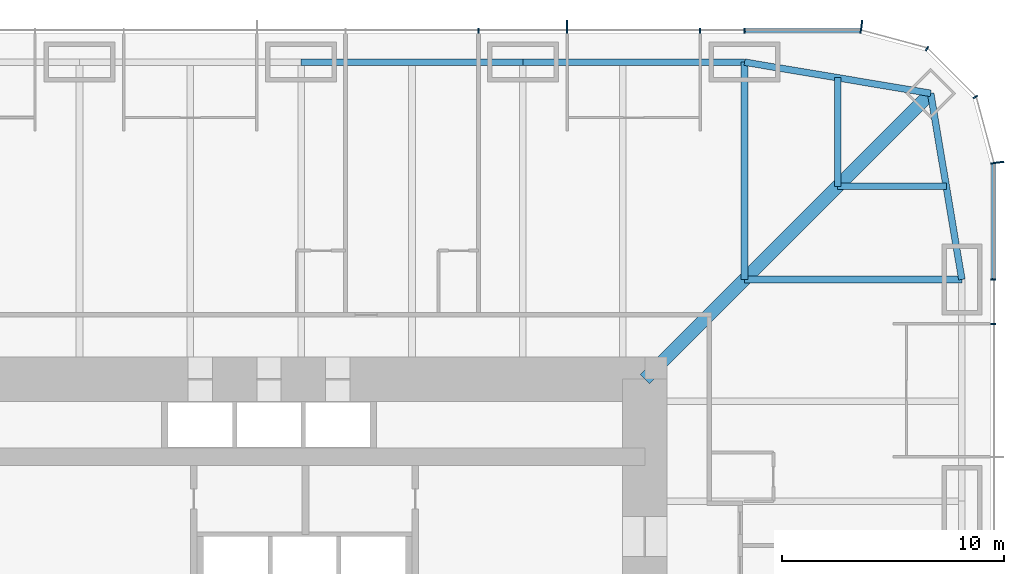
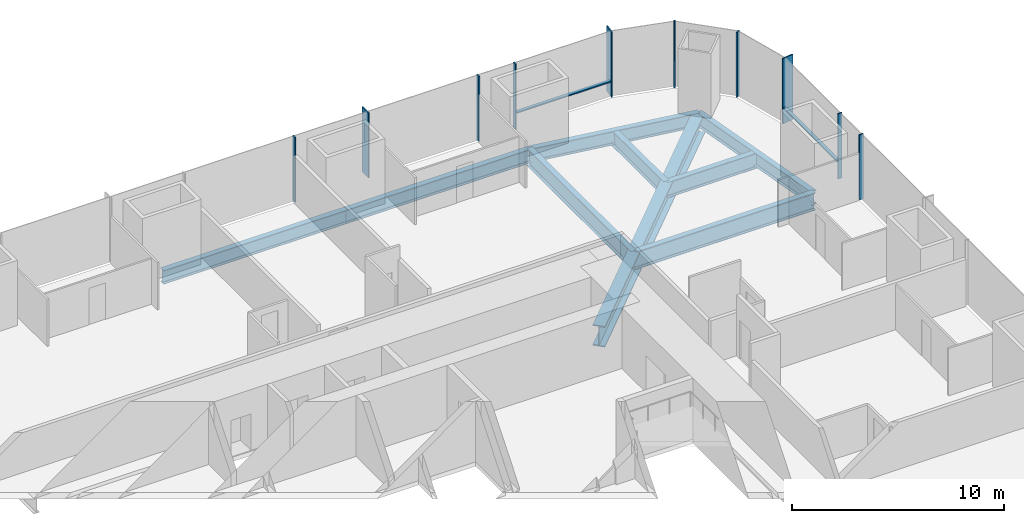
# One storey, part 9 of 17: 12 members, 9 beams, 3 elements without a shape of their own.
"""IFC4 building model written with IfcOpenShell, lengths in metres."""

from ifc_helpers import new_model, si_unit, direction, frame, origin, origin_2d, place, context, subcontext, project, spatial, rectangle, i_section, extrude, material, material_profile, profile_set, type_object, element, aggregate, save


model = new_model("IFC4")

# Units and contexts
model_context = context("Model", 3, precision=1e-05, world=origin(), true_north=direction((0.0, 1.0)))
body_context = subcontext(model_context, "Body", "Model", "MODEL_VIEW")
ifc_project = project(units=[si_unit("LENGTHUNIT", "METRE"), si_unit("AREAUNIT", "SQUARE_METRE"), si_unit("VOLUMEUNIT", "CUBIC_METRE"), si_unit("PLANEANGLEUNIT", "RADIAN"), si_unit("MASSUNIT", "GRAM", prefix="KILO")], contexts=[model_context])

# Site, building, storey
site_placement = place(None, origin())
site = spatial("IfcSite", under=ifc_project, at=site_placement, CompositionType="ELEMENT")
building_placement = place(site_placement, origin())
building = spatial("IfcBuilding", under=site, at=building_placement, Name="Khuree Lantern Residences", CompositionType="ELEMENT")
storey_placement = place(building_placement, frame((0.0, 0.0, 77.25)))
storey = spatial("IfcBuildingStorey", under=building, at=storey_placement, Name="L19", CompositionType="ELEMENT", Elevation=77.25)

# Beams
ifc_material_1 = material(Name="Steel S355", Category="steel")
ifc_material_profile_1 = material_profile(ifc_material_1, i_section(OverallWidth=0.300048828125, OverallDepth=0.889892578125, WebThickness=0.01611328125, FlangeThickness=0.030029296875, FilletRadius=0.030029296875, at=origin_2d()), Name="HE 900 A")
ifc_profile_set_1 = profile_set([ifc_material_profile_1], Name="Steel S355")
beam_type_1 = type_object("IfcBeamType", Name="B-14 SECONDARY BEAM HE 900 A", PredefinedType="BEAM", material=ifc_profile_set_1)
for number, where, z_axis, x_axis, name in (
    (1, (24.197021484375, 29.09716796875, -0.695068359375), (0.0, -1.0, 0.0), (1.0, 0.0, 0.0), "Secondary beam N5"),
    (2, (29.09716796875, 24.197021484375, -0.695068359375), (-1.0, 0.0, 0.0), (0.0, -1.0, 0.0), "Secondary beam E1"),
):
    element("IfcBeam", number, at=place(storey_placement, frame(where, z_axis=z_axis, x_axis=x_axis)), inside=storey, type_object=beam_type_1, Name=name, PredefinedType="BEAM", context=body_context, shape_type="SweptSolid", body=[
        extrude(i_section(OverallWidth=0.300048828125, OverallDepth=0.889892578125, WebThickness=0.01611328125, FlangeThickness=0.030029296875, FilletRadius=0.030029296875, at=origin_2d()), origin(), (0.0, 0.0, 1.0), 4.900146484375),
    ])
ifc_material_profile_2 = material_profile(ifc_material_1, i_section(OverallWidth=0.300048828125, OverallDepth=0.7900390625, WebThickness=0.014892578125, FlangeThickness=0.028076171875, FilletRadius=0.030029296875, at=origin_2d()), Name="HE 800 A")
ifc_profile_set_2 = profile_set([ifc_material_profile_2], Name="Steel S355")
beam_type_2 = type_object("IfcBeamType", Name="E-14 SPANDREL BEAM HE 800 A", PredefinedType="SPANDREL", material=ifc_profile_set_2)
for number, where, z_axis, x_axis, name in (
    (3, (0.0, 29.800048828125, -0.64501953125), (1.0, 0.0, 0.0), (0.0, 1.0, 0.0), "Spandrel beam N3"),
    (4, (10.0, 29.800048828125, -0.64501953125), (1.0, 0.0, 0.0), (0.0, 1.0, 0.0), "Spandrel beam N4"),
):
    element("IfcBeam", number, at=place(storey_placement, frame(where, z_axis=z_axis, x_axis=x_axis)), inside=storey, type_object=beam_type_2, Name=name, PredefinedType="SPANDREL", context=body_context, shape_type="SweptSolid", body=[
        extrude(i_section(OverallWidth=0.300048828125, OverallDepth=0.7900390625, WebThickness=0.014892578125, FlangeThickness=0.028076171875, FilletRadius=0.030029296875, at=origin_2d()), origin(), (0.0, 0.0, 1.0), 10.0),
    ])
for number, where, z_axis, x_axis, name in (
    (5, (20.0, 29.800048828125, -0.64501953125), (0.986260251158, -0.165199022349, 0.0), (0.165199022349, 0.986260251158, 0.0), "Spandrel beam N5"),
    (6, (28.39404296875, 28.39404296875, -0.64501953125), (0.165199022349, -0.986260251158, 0.0), (0.986260251158, 0.165199022349, 0.0), "Spandrel beam E1"),
):
    element("IfcBeam", number, at=place(storey_placement, frame(where, z_axis=z_axis, x_axis=x_axis)), inside=storey, type_object=beam_type_2, Name=name, PredefinedType="SPANDREL", context=body_context, shape_type="SweptSolid", body=[
        extrude(i_section(OverallWidth=0.300048828125, OverallDepth=0.7900390625, WebThickness=0.014892578125, FlangeThickness=0.028076171875, FilletRadius=0.030029296875, at=origin_2d()), origin(), (0.0, 0.0, 1.0), 8.510986328125),
    ])

# Curtain wall, member
ifc_material_2 = material(Name="Bronze anodised aluminium", Category="aluminium")
curtain_wall_type_1 = type_object("IfcCurtainWallType", Name="CW-T2 TOWER CORNER CURTAIN WALL", PredefinedType="USERDEFINED", material=ifc_material_2)
curtain_wall_1_placement = place(storey_placement, origin())
curtain_wall_1 = element("IfcCurtainWall", 7, at=curtain_wall_1_placement, inside=storey, type_object=curtain_wall_type_1, Name="L19 NORTH-EAST CORNER CURTAIN WALL", ObjectType="Faceted corner curtain wall", PredefinedType="USERDEFINED")
ifc_material_profile_3 = material_profile(ifc_material_2, rectangle(XDim=0.06494140625, YDim=0.60009765625, at=origin_2d()), Name="F1 65X600")
ifc_profile_set_3 = profile_set([ifc_material_profile_3], Name="Bronze anodised aluminium")
member_type_1 = type_object("IfcMemberType", Name="F1 BRONZE FIN MULLION TOWER 65X600", PredefinedType="MULLION", material=ifc_profile_set_3)
member_1_placement = place(storey_placement, frame((31.400146484375, 25.269775390625, 0.0), z_axis=(0.0, 0.0, 1.0), x_axis=(-0.130526257387, 0.991444852794, 0.0)))
member_1 = element("IfcMember", 8, at=member_1_placement, type_object=member_type_1, Name="L19 NORTH-EAST CORNER FIN MULLION 15", PredefinedType="MULLION", context=body_context, shape_type="SweptSolid", body=[
    extrude(rectangle(XDim=0.06494140625, YDim=0.60009765625, at=origin_2d()), origin(), (0.0, 0.0, 1.0), 3.75),
])

# Curtain wall, members
curtain_wall_type_2 = type_object("IfcCurtainWallType", Name="CW-T1 TOWER FACE CURTAIN WALL", PredefinedType="USERDEFINED", material=ifc_material_2)
curtain_wall_2_placement = place(storey_placement, origin())
curtain_wall_2 = element("IfcCurtainWall", 9, at=curtain_wall_2_placement, inside=storey, type_object=curtain_wall_type_2, Name="L19 NORTH FACE CURTAIN WALL", ObjectType="Stick-built curtain wall", PredefinedType="USERDEFINED")
member_2_placement = place(storey_placement, frame((25.269775390625, 31.400146484375, 0.0), z_axis=(0.0, 0.0, 1.0), x_axis=(-0.991444852794, 0.130526257387, 0.0)))
member_2 = element("IfcMember", 10, at=member_2_placement, type_object=member_type_1, Name="L19 NORTH FACE FIN MULLION 18", PredefinedType="MULLION", context=body_context, shape_type="SweptSolid", body=[
    extrude(rectangle(XDim=0.06494140625, YDim=0.60009765625, at=origin_2d()), origin(), (0.0, 0.0, 1.0), 3.75),
])
member_3_placement = place(storey_placement, frame((12.0, 31.39990234375, 0.0), z_axis=(0.0, 0.0, 1.0), x_axis=(-1.0, 0.0, 0.0)))
member_3 = element("IfcMember", 11, at=member_3_placement, type_object=member_type_1, Name="L19 NORTH FACE FIN MULLION 21", PredefinedType="MULLION", context=body_context, shape_type="SweptSolid", body=[
    extrude(rectangle(XDim=0.06494140625, YDim=0.60009765625, at=origin_2d()), origin(), (0.0, 0.0, 1.0), 3.75),
])

# Beams
ifc_material_profile_4 = material_profile(ifc_material_1, i_section(OverallWidth=0.302001953125, OverallDepth=1.008056640625, WebThickness=0.02099609375, FlangeThickness=0.0400390625, FilletRadius=0.030029296875, at=origin_2d()), Name="HE 1000 M")
ifc_profile_set_4 = profile_set([ifc_material_profile_4], Name="Steel S355")
beam_type_3 = type_object("IfcBeamType", Name="G-14 GIRDER HE 1000 M", PredefinedType="BEAM", material=ifc_profile_set_4)
for number, where, z_axis, x_axis, name in (
    (12, (20.0, 29.800048828125, -0.75390625), (0.0, -1.0, 0.0), (1.0, 0.0, 0.0), "Girder N5"),
    (13, (29.800048828125, 20.0, -0.75390625), (-1.0, 0.0, 0.0), (0.0, -1.0, 0.0), "Girder E1"),
):
    element("IfcBeam", number, at=place(storey_placement, frame(where, z_axis=z_axis, x_axis=x_axis)), inside=storey, type_object=beam_type_3, Name=name, PredefinedType="BEAM", context=body_context, shape_type="SweptSolid", body=[
        extrude(i_section(OverallWidth=0.302001953125, OverallDepth=1.008056640625, WebThickness=0.02099609375, FlangeThickness=0.0400390625, FilletRadius=0.030029296875, at=origin_2d()), origin(), (0.0, 0.0, 1.0), 9.800048828125),
    ])
ifc_material_profile_5 = material_profile(ifc_material_1, i_section(OverallWidth=0.60009765625, OverallDepth=1.199951171875, WebThickness=0.030029296875, FlangeThickness=0.06005859375, at=origin_2d()), Name="WELDED I 1200X600X30X60")
ifc_profile_set_5 = profile_set([ifc_material_profile_5], Name="Steel S355")
beam_type_4 = type_object("IfcBeamType", Name="GD-14 CORNER GIRDER WELDED I 1200X600X30X60", PredefinedType="BEAM", material=ifc_profile_set_5)
beam_placement = place(storey_placement, frame((28.39404296875, 28.39404296875, -0.85009765625), z_axis=(-0.707106781187, -0.707106781187, 0.0), x_axis=(0.707106781187, -0.707106781187, 0.0)))
element("IfcBeam", 14, at=beam_placement, inside=storey, type_object=beam_type_4, Name="Corner girder NE", PredefinedType="BEAM", context=body_context, shape_type="SweptSolid", body=[
    extrude(i_section(OverallWidth=0.60009765625, OverallDepth=1.199951171875, WebThickness=0.030029296875, FlangeThickness=0.06005859375, at=origin_2d()), origin(), (0.0, 0.0, 1.0), 18.23486328125),
])

# Curtain wall, members
curtain_wall_3_placement = place(storey_placement, origin())
curtain_wall_3 = element("IfcCurtainWall", 15, at=curtain_wall_3_placement, inside=storey, type_object=curtain_wall_type_2, Name="L19 EAST FACE CURTAIN WALL", ObjectType="Stick-built curtain wall", PredefinedType="USERDEFINED")
ifc_material_profile_6 = material_profile(ifc_material_2, rectangle(XDim=0.06494140625, YDim=0.219970703125, at=origin_2d()), Name="M1 65X220")
ifc_profile_set_6 = profile_set([ifc_material_profile_6], Name="Bronze anodised aluminium")
member_type_2 = type_object("IfcMemberType", Name="M1 BRONZE MULLION TOWER 65X220", PredefinedType="MULLION", material=ifc_profile_set_6)
member_4_placement = place(storey_placement, frame((31.2099609375, 18.0, 0.0), z_axis=(0.0, 0.0, 1.0), x_axis=(0.0, 1.0, 0.0)))
member_4 = element("IfcMember", 16, at=member_4_placement, type_object=member_type_2, Name="L19 EAST FACE MULLION 13", PredefinedType="MULLION", context=body_context, shape_type="SweptSolid", body=[
    extrude(rectangle(XDim=0.06494140625, YDim=0.219970703125, at=origin_2d()), origin(), (0.0, 0.0, 1.0), 3.75),
])
member_5_placement = place(storey_placement, frame((31.2099609375, 20.0, 0.0), z_axis=(0.0, 0.0, 1.0), x_axis=(0.0, 1.0, 0.0)))
member_5 = element("IfcMember", 17, at=member_5_placement, type_object=member_type_2, Name="L19 EAST FACE MULLION 14", PredefinedType="MULLION", context=body_context, shape_type="SweptSolid", body=[
    extrude(rectangle(XDim=0.06494140625, YDim=0.219970703125, at=origin_2d()), origin(), (0.0, 0.0, 1.0), 3.75),
])

# Member
member_6_placement = place(storey_placement, frame((30.41162109375, 28.22998046875, 0.0), z_axis=(0.0, 0.0, 1.0), x_axis=(-0.500000056923, 0.86602537092, 0.0)))
member_6 = element("IfcMember", 18, at=member_6_placement, type_object=member_type_2, Name="L19 NORTH-EAST CORNER MULLION 16", PredefinedType="MULLION", context=body_context, shape_type="SweptSolid", body=[
    extrude(rectangle(XDim=0.06494140625, YDim=0.219970703125, at=origin_2d()), origin(), (0.0, 0.0, 1.0), 3.75),
])

member_7_placement = place(storey_placement, frame((28.22998046875, 30.41162109375, 0.0), z_axis=(0.0, 0.0, 1.0), x_axis=(-0.86602537092, 0.500000056923, 0.0)))
member_7 = element("IfcMember", 19, at=member_7_placement, type_object=member_type_2, Name="L19 NORTH-EAST CORNER MULLION 17", PredefinedType="MULLION", context=body_context, shape_type="SweptSolid", body=[
    extrude(rectangle(XDim=0.06494140625, YDim=0.219970703125, at=origin_2d()), origin(), (0.0, 0.0, 1.0), 3.75),
])

aggregate(curtain_wall_1, [member_1, member_6, member_7])

member_8_placement = place(storey_placement, frame((20.0, 31.2099609375, 0.0), z_axis=(0.0, 0.0, 1.0), x_axis=(-1.0, 0.0, 0.0)))
member_8 = element("IfcMember", 20, at=member_8_placement, type_object=member_type_2, Name="L19 NORTH FACE MULLION 19", PredefinedType="MULLION", context=body_context, shape_type="SweptSolid", body=[
    extrude(rectangle(XDim=0.06494140625, YDim=0.219970703125, at=origin_2d()), origin(), (0.0, 0.0, 1.0), 3.75),
])

member_9_placement = place(storey_placement, frame((18.0, 31.2099609375, 0.0), z_axis=(0.0, 0.0, 1.0), x_axis=(-1.0, 0.0, 0.0)))
member_9 = element("IfcMember", 21, at=member_9_placement, type_object=member_type_2, Name="L19 NORTH FACE MULLION 20", PredefinedType="MULLION", context=body_context, shape_type="SweptSolid", body=[
    extrude(rectangle(XDim=0.06494140625, YDim=0.219970703125, at=origin_2d()), origin(), (0.0, 0.0, 1.0), 3.75),
])

member_10_placement = place(storey_placement, frame((8.0, 31.2099609375, 0.0), z_axis=(0.0, 0.0, 1.0), x_axis=(-1.0, 0.0, 0.0)))
member_10 = element("IfcMember", 22, at=member_10_placement, type_object=member_type_2, Name="L19 NORTH FACE MULLION 22", PredefinedType="MULLION", context=body_context, shape_type="SweptSolid", body=[
    extrude(rectangle(XDim=0.06494140625, YDim=0.219970703125, at=origin_2d()), origin(), (0.0, 0.0, 1.0), 3.75),
])

ifc_material_profile_7 = material_profile(ifc_material_2, rectangle(XDim=0.179931640625, YDim=0.06494140625, at=origin_2d()), Name="T1 180X65")
ifc_profile_set_7 = profile_set([ifc_material_profile_7], Name="Bronze anodised aluminium")
member_type_3 = type_object("IfcMemberType", Name="TRANSOM T1 TOWER 180X65", PredefinedType="USERDEFINED", material=ifc_profile_set_7)
member_11_placement = place(storey_placement, frame((31.219970703125, 20.032470703125, 0.89990234375), z_axis=(0.0, 1.0, 0.0), x_axis=(-1.0, 0.0, 0.0)))
member_11 = element("IfcMember", 23, at=member_11_placement, type_object=member_type_3, Name="L19 EAST FACE TRANSOM 14.1", ObjectType="Transom", PredefinedType="USERDEFINED", context=body_context, shape_type="SweptSolid", body=[
    extrude(rectangle(XDim=0.179931640625, YDim=0.06494140625, at=origin_2d()), origin(), (0.0, 0.0, 1.0), 5.1689453125),
])

aggregate(curtain_wall_3, [member_4, member_5, member_11])

member_12_placement = place(storey_placement, frame((25.201416015625, 31.219970703125, 0.89990234375), z_axis=(-1.0, 0.0, 0.0), x_axis=(0.0, -1.0, 0.0)))
member_12 = element("IfcMember", 24, at=member_12_placement, type_object=member_type_3, Name="L19 NORTH FACE TRANSOM 18.1", ObjectType="Transom", PredefinedType="USERDEFINED", context=body_context, shape_type="SweptSolid", body=[
    extrude(rectangle(XDim=0.179931640625, YDim=0.06494140625, at=origin_2d()), origin(), (0.0, 0.0, 1.0), 5.1689453125),
])

aggregate(curtain_wall_2, [member_2, member_8, member_9, member_3, member_10, member_12])

save(model, "model.ifc")
